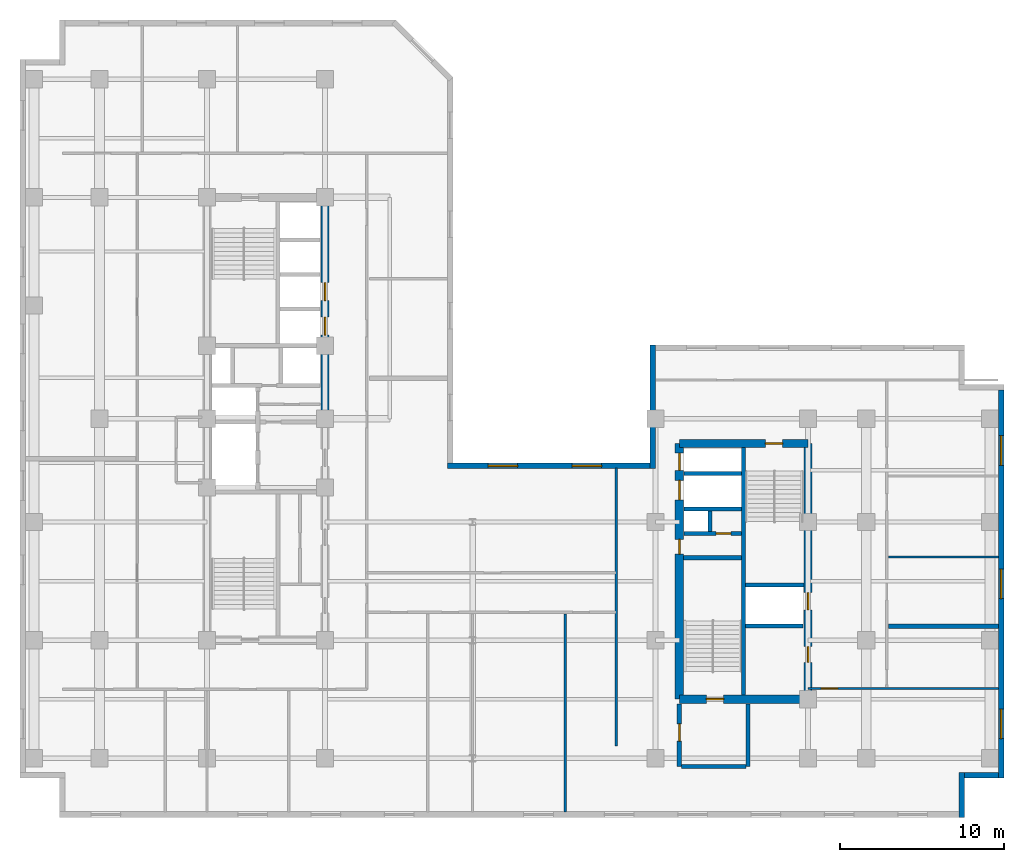
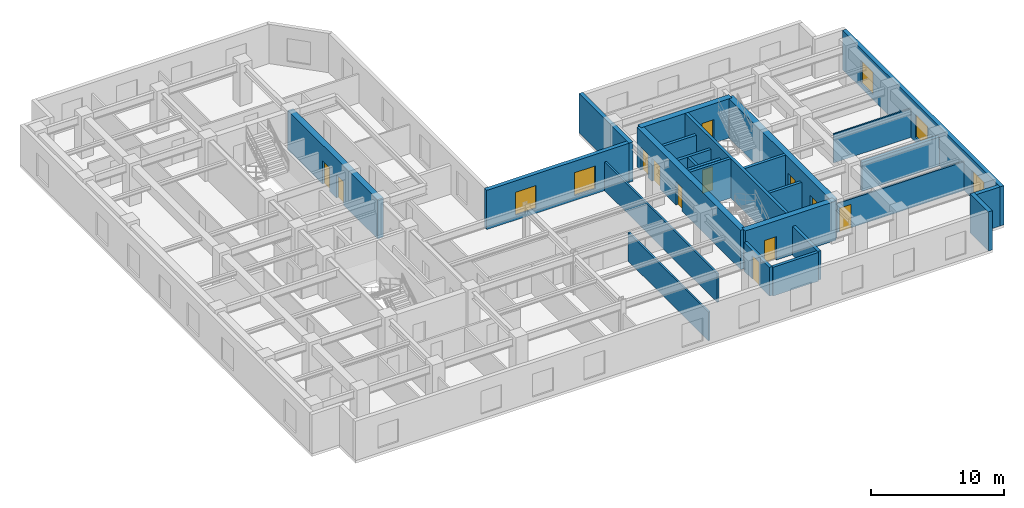
# One storey, part 5 of 10: 26 walls, 12 doors, 5 windows, 17 openings.
"""IFC4 building model written with IfcOpenShell, lengths in metres."""

from ifc_helpers import new_model, entity, si_unit, converted_unit, direction, frame, origin_with_axes, origin_2d_with_axis, place, context, subcontext, project, spatial, polyline, rectangle, outline, extrude, material, layer, layer_set, type_object, element, fill, save


model = new_model("IFC4")

# Units and contexts
model_context = context("Model", 3, precision=1e-05, world=origin_with_axes(), true_north=direction((0.0, 1.0)))
body_context = subcontext(model_context, "Body", "Model", "MODEL_VIEW")
ifc_project = project(units=[si_unit("LENGTHUNIT", "METRE"), si_unit("AREAUNIT", "SQUARE_METRE"), si_unit("VOLUMEUNIT", "CUBIC_METRE"), converted_unit("PLANEANGLEUNIT", "DEGREE", entity("IfcPlaneAngleMeasure", 0.017453292519943295), si_unit("PLANEANGLEUNIT", "RADIAN"), dimensions=[0, 0, 0, 0, 0, 0, 0]), si_unit("MASSUNIT", "GRAM", prefix="KILO"), si_unit("THERMODYNAMICTEMPERATUREUNIT", "KELVIN")], contexts=[model_context])

# Site, building, storey
site_placement = place(None, origin_with_axes())
site = spatial("IfcSite", under=ifc_project, at=site_placement, CompositionType="ELEMENT")
building_placement = place(site_placement, origin_with_axes())
building = spatial("IfcBuilding", under=site, at=building_placement, Name="Varnlund Millrace Tower", CompositionType="ELEMENT")
storey_placement = place(building_placement, frame((0.0, 0.0, 183.6), z_axis=(0.0, 0.0, 1.0), x_axis=(1.0, 0.0, 0.0)))
storey = spatial("IfcBuildingStorey", under=building, at=storey_placement, Name="L45", CompositionType="ELEMENT", Elevation=183.6)

# Wall, openings, doors
ifc_material_1 = material(Name="Concrete C70/85", Category="concrete")
ifc_layer_1 = layer(ifc_material_1, 0.5, Name="Concrete C70/85")
ifc_layer_set_1 = layer_set([ifc_layer_1], Name="Concrete C70/85")
wall_type_1 = type_object("IfcWallType", Name="Type-CoreWall-Shear-500-C70", PredefinedType="SHEAR", material=ifc_layer_set_1)
wall_1_placement = place(storey_placement, frame((18.6, 24.3, 0.0), z_axis=(0.0, 0.0, 1.0), x_axis=(0.0, 1.0, 0.0)))
wall_1 = element("IfcWall", 1, at=wall_1_placement, inside=storey, type_object=wall_type_1, Name="Type-CoreWall-Shear-500-C70", PredefinedType="SHEAR", context=body_context, shape_type="SweptSolid", body=[
    extrude(outline(polyline([(0.0, -0.25), (13.5, -0.25), (13.5, 0.25), (0.0, 0.25), (0.0, -0.25)])), origin_with_axes(), (0.0, 0.0, 1.0), 3.6),
])
opening_1_placement = place(wall_1_placement, frame((5.65, 0.0, 0.0), z_axis=(0.0, 0.0, 1.0), x_axis=(1.0, 0.0, 0.0)))
opening_1 = element("IfcOpeningElement", 2, at=opening_1_placement, cuts=wall_1, Name="Opening L45:LD-ELV-M1", PredefinedType="OPENING", context=body_context, shape_type="SweptSolid", body=[
    extrude(rectangle(XDim=1.1, YDim=0.52, at=origin_2d_with_axis()), origin_with_axes(), (0.0, 0.0, 1.0), 2.15),
])
opening_2_placement = place(wall_1_placement, frame((7.75, 0.0, 0.0), z_axis=(0.0, 0.0, 1.0), x_axis=(1.0, 0.0, 0.0)))
opening_2 = element("IfcOpeningElement", 3, at=opening_2_placement, cuts=wall_1, Name="Opening L45:LD-ELV-M2", PredefinedType="OPENING", context=body_context, shape_type="SweptSolid", body=[
    extrude(rectangle(XDim=1.1, YDim=0.52, at=origin_2d_with_axis()), origin_with_axes(), (0.0, 0.0, 1.0), 2.15),
])
ifc_material_2 = material(Name="Stainless and architectural bronze sliding landing door")
door_type_1 = type_object("IfcDoorType", Name="Type-LiftLandingDoor-1100X2150", OperationType="NOTDEFINED", PredefinedType="DOOR", material=ifc_material_2)
door_1_placement = place(wall_1_placement, frame((5.65, 0.0, 0.0), z_axis=(0.0, 0.0, 1.0), x_axis=(1.0, 0.0, 0.0)))
door_1 = element("IfcDoor", 4, at=door_1_placement, inside=storey, type_object=door_type_1, Name="Type-LiftLandingDoor-1100X2150", OperationType="SLIDING_TO_LEFT", OverallHeight=2.15, OverallWidth=1.1, PredefinedType="DOOR", context=body_context, shape_type="SweptSolid", body=[
    extrude(rectangle(XDim=1.1, YDim=0.09, at=origin_2d_with_axis()), origin_with_axes(), (0.0, 0.0, 1.0), 2.15),
])
fill(opening_1, door_1)
door_2_placement = place(wall_1_placement, frame((7.75, 0.0, 0.0), z_axis=(0.0, 0.0, 1.0), x_axis=(1.0, 0.0, 0.0)))
door_2 = element("IfcDoor", 5, at=door_2_placement, inside=storey, type_object=door_type_1, Name="Type-LiftLandingDoor-1100X2150", OperationType="SLIDING_TO_RIGHT", OverallHeight=2.15, OverallWidth=1.1, PredefinedType="DOOR", context=body_context, shape_type="SweptSolid", body=[
    extrude(rectangle(XDim=1.1, YDim=0.09, at=origin_2d_with_axis()), origin_with_axes(), (0.0, 0.0, 1.0), 2.15),
])
fill(opening_2, door_2)

wall_2_placement = place(storey_placement, frame((40.2, 7.2, 0.0), z_axis=(0.0, 0.0, 1.0), x_axis=(0.0, 1.0, 0.0)))
wall_2 = element("IfcWall", 6, at=wall_2_placement, inside=storey, type_object=wall_type_1, Name="Type-CoreWall-Shear-500-C70", PredefinedType="SHEAR", context=body_context, shape_type="SweptSolid", body=[
    extrude(outline(polyline([(0.0, -0.25), (15.6, -0.25), (15.6, 0.25), (0.0, 0.25), (0.0, -0.25)])), origin_with_axes(), (0.0, 0.0, 1.0), 3.6),
])
opening_3_placement = place(wall_2_placement, frame((14.475, 0.0, 0.0), z_axis=(0.0, 0.0, 1.0), x_axis=(1.0, 0.0, 0.0)))
opening_3 = element("IfcOpeningElement", 7, at=opening_3_placement, cuts=wall_2, Name="Opening L45:LD-ELV-M4", PredefinedType="OPENING", context=body_context, shape_type="SweptSolid", body=[
    extrude(rectangle(XDim=1.05, YDim=0.52, at=origin_2d_with_axis()), origin_with_axes(), (0.0, 0.0, 1.0), 2.15),
])
opening_4_placement = place(wall_2_placement, frame((12.75, 0.0, 0.0), z_axis=(0.0, 0.0, 1.0), x_axis=(1.0, 0.0, 0.0)))
opening_4 = element("IfcOpeningElement", 8, at=opening_4_placement, cuts=wall_2, Name="Opening L45:LD-SRV2", PredefinedType="OPENING", context=body_context, shape_type="SweptSolid", body=[
    extrude(rectangle(XDim=1.2, YDim=0.52, at=origin_2d_with_axis()), origin_with_axes(), (0.0, 0.0, 1.0), 2.15),
])
opening_5_placement = place(wall_2_placement, frame((9.3, 0.0, 0.0), z_axis=(0.0, 0.0, 1.0), x_axis=(1.0, 0.0, 0.0)))
opening_5 = element("IfcOpeningElement", 9, at=opening_5_placement, cuts=wall_2, Name="Opening L45:DR-CB-JAN", PredefinedType="OPENING", context=body_context, shape_type="SweptSolid", body=[
    extrude(rectangle(XDim=0.9, YDim=0.52, at=origin_2d_with_axis()), origin_with_axes(), (0.0, 0.0, 1.0), 2.15),
])
ifc_material_3 = material(Name="Fire-rated hollow steel service closet door", Category="steel")
door_type_2 = type_object("IfcDoorType", Name="Type-FireDoor-Closet-900X2150", OperationType="NOTDEFINED", PredefinedType="DOOR", material=ifc_material_3)
door_3_placement = place(wall_2_placement, frame((9.3, 0.0, 0.0), z_axis=(0.0, 0.0, 1.0), x_axis=(1.0, 0.0, 0.0)))
door_3 = element("IfcDoor", 10, at=door_3_placement, inside=storey, type_object=door_type_2, Name="Type-FireDoor-Closet-900X2150", OperationType="SINGLE_SWING_RIGHT", OverallHeight=2.15, OverallWidth=0.9, PredefinedType="DOOR", context=body_context, shape_type="SweptSolid", body=[
    extrude(rectangle(XDim=0.9, YDim=0.09, at=origin_2d_with_axis()), origin_with_axes(), (0.0, 0.0, 1.0), 2.15),
])
fill(opening_5, door_3)
ifc_material_4 = material(Name="Architectural bronze sliding landing door")
door_type_3 = type_object("IfcDoorType", Name="Type-LiftLandingDoor-Compact-1050X2150", OperationType="NOTDEFINED", PredefinedType="DOOR", material=ifc_material_4)
door_4_placement = place(wall_2_placement, frame((14.475, 0.0, 0.0), z_axis=(0.0, 0.0, 1.0), x_axis=(1.0, 0.0, 0.0)))
door_4 = element("IfcDoor", 11, at=door_4_placement, inside=storey, type_object=door_type_3, Name="Type-LiftLandingDoor-Compact-1050X2150", OperationType="SLIDING_TO_RIGHT", OverallHeight=2.15, OverallWidth=1.05, PredefinedType="DOOR", context=body_context, shape_type="SweptSolid", body=[
    extrude(rectangle(XDim=1.05, YDim=0.09, at=origin_2d_with_axis()), origin_with_axes(), (0.0, 0.0, 1.0), 2.15),
])
fill(opening_3, door_4)
ifc_material_5 = material(Name="Heavy-duty freight sliding landing door")
door_type_4 = type_object("IfcDoorType", Name="Type-LiftLandingDoor-Service-1200X2150", OperationType="NOTDEFINED", PredefinedType="DOOR", material=ifc_material_5)
door_5_placement = place(wall_2_placement, frame((12.75, 0.0, 0.0), z_axis=(0.0, 0.0, 1.0), x_axis=(1.0, 0.0, 0.0)))
door_5 = element("IfcDoor", 12, at=door_5_placement, inside=storey, type_object=door_type_4, Name="Type-LiftLandingDoor-Service-1200X2150", OperationType="DOUBLE_DOOR_SLIDING", OverallHeight=2.15, OverallWidth=1.2, PredefinedType="DOOR", context=body_context, shape_type="SweptSolid", body=[
    extrude(rectangle(XDim=1.2, YDim=0.09, at=origin_2d_with_axis()), origin_with_axes(), (0.0, 0.0, 1.0), 2.15),
])
fill(opening_4, door_5)

# Wall, opening, door
wall_3_placement = place(storey_placement, frame((40.2, 7.2, 0.0), z_axis=(0.0, 0.0, 1.0), x_axis=(1.0, 0.0, 0.0)))
wall_3 = element("IfcWall", 13, at=wall_3_placement, inside=storey, type_object=wall_type_1, Name="Type-CoreWall-Shear-500-C70", PredefinedType="SHEAR", context=body_context, shape_type="SweptSolid", body=[
    extrude(outline(polyline([(0.0, -0.25), (7.85, -0.25), (7.85, 0.25), (0.0, 0.25), (0.0, -0.25)])), origin_with_axes(), (0.0, 0.0, 1.0), 3.6),
])
opening_6_placement = place(wall_3_placement, frame((2.175, 0.0, 0.0), z_axis=(0.0, 0.0, 1.0), x_axis=(1.0, 0.0, 0.0)))
opening_6 = element("IfcOpeningElement", 14, at=opening_6_placement, cuts=wall_3, Name="Opening L45:DR-STB1", PredefinedType="OPENING", context=body_context, shape_type="SweptSolid", body=[
    extrude(rectangle(XDim=1.05, YDim=0.52, at=origin_2d_with_axis()), origin_with_axes(), (0.0, 0.0, 1.0), 2.15),
])
ifc_material_6 = material(Name="Fire-rated hollow steel door", Category="steel")
door_type_5 = type_object("IfcDoorType", Name="Type-FireDoor-Stair-1050X2150", OperationType="NOTDEFINED", PredefinedType="DOOR", material=ifc_material_6)
door_6_placement = place(wall_3_placement, frame((2.175, 0.0, 0.0), z_axis=(0.0, 0.0, 1.0), x_axis=(1.0, 0.0, 0.0)))
door_6 = element("IfcDoor", 15, at=door_6_placement, inside=storey, type_object=door_type_5, Name="Type-FireDoor-Stair-1050X2150", OperationType="SINGLE_SWING_LEFT", OverallHeight=2.15, OverallWidth=1.05, PredefinedType="DOOR", context=body_context, shape_type="SweptSolid", body=[
    extrude(rectangle(XDim=1.05, YDim=0.09, at=origin_2d_with_axis()), origin_with_axes(), (0.0, 0.0, 1.0), 2.15),
])
fill(opening_6, door_6)

wall_4_placement = place(storey_placement, frame((40.2, 22.8, 0.0), z_axis=(0.0, 0.0, 1.0), x_axis=(1.0, 0.0, 0.0)))
wall_4 = element("IfcWall", 16, at=wall_4_placement, inside=storey, type_object=wall_type_1, Name="Type-CoreWall-Shear-500-C70", PredefinedType="SHEAR", context=body_context, shape_type="SweptSolid", body=[
    extrude(outline(polyline([(0.0, -0.25), (7.85, -0.25), (7.85, 0.25), (0.0, 0.25), (0.0, -0.25)])), origin_with_axes(), (0.0, 0.0, 1.0), 3.6),
])
opening_7_placement = place(wall_4_placement, frame((5.775, 0.0, 0.0), z_axis=(0.0, 0.0, 1.0), x_axis=(1.0, 0.0, 0.0)))
opening_7 = element("IfcOpeningElement", 17, at=opening_7_placement, cuts=wall_4, Name="Opening L45:DR-STB2", PredefinedType="OPENING", context=body_context, shape_type="SweptSolid", body=[
    extrude(rectangle(XDim=1.05, YDim=0.52, at=origin_2d_with_axis()), origin_with_axes(), (0.0, 0.0, 1.0), 2.15),
])
door_7_placement = place(wall_4_placement, frame((5.775, 0.0, 0.0), z_axis=(0.0, 0.0, 1.0), x_axis=(1.0, 0.0, 0.0)))
door_7 = element("IfcDoor", 18, at=door_7_placement, inside=storey, type_object=door_type_5, Name="Type-FireDoor-Stair-1050X2150", OperationType="SINGLE_SWING_RIGHT", OverallHeight=2.15, OverallWidth=1.05, PredefinedType="DOOR", context=body_context, shape_type="SweptSolid", body=[
    extrude(rectangle(XDim=1.05, YDim=0.09, at=origin_2d_with_axis()), origin_with_axes(), (0.0, 0.0, 1.0), 2.15),
])
fill(opening_7, door_7)

# Wall, openings, doors
wall_5_placement = place(storey_placement, frame((48.05, 7.2, 0.0), z_axis=(0.0, 0.0, 1.0), x_axis=(0.0, 1.0, 0.0)))
wall_5 = element("IfcWall", 19, at=wall_5_placement, inside=storey, type_object=wall_type_1, Name="Type-CoreWall-Shear-500-C70", PredefinedType="SHEAR", context=body_context, shape_type="SweptSolid", body=[
    extrude(outline(polyline([(0.0, -0.25), (15.6, -0.25), (15.6, 0.25), (0.0, 0.25), (0.0, -0.25)])), origin_with_axes(), (0.0, 0.0, 1.0), 3.6),
])
opening_8_placement = place(wall_5_placement, frame((5.975, 0.0, 0.0), z_axis=(0.0, 0.0, 1.0), x_axis=(1.0, 0.0, 0.0)))
opening_8 = element("IfcOpeningElement", 20, at=opening_8_placement, cuts=wall_5, Name="Opening L45:LD-ELV-M3", PredefinedType="OPENING", context=body_context, shape_type="SweptSolid", body=[
    extrude(rectangle(XDim=1.05, YDim=0.52, at=origin_2d_with_axis()), origin_with_axes(), (0.0, 0.0, 1.0), 2.15),
])
opening_9_placement = place(wall_5_placement, frame((2.725, 0.0, 0.0), z_axis=(0.0, 0.0, 1.0), x_axis=(1.0, 0.0, 0.0)))
opening_9 = element("IfcOpeningElement", 21, at=opening_9_placement, cuts=wall_5, Name="Opening L45:DR-CB-WC", PredefinedType="OPENING", context=body_context, shape_type="SweptSolid", body=[
    extrude(rectangle(XDim=0.95, YDim=0.52, at=origin_2d_with_axis()), origin_with_axes(), (0.0, 0.0, 1.0), 2.15),
])
ifc_material_7 = material(Name="Fire-rated hollow steel core service door", Category="steel")
door_type_6 = type_object("IfcDoorType", Name="Type-FireDoor-Service-950X2150", OperationType="NOTDEFINED", PredefinedType="DOOR", material=ifc_material_7)
door_8_placement = place(wall_5_placement, frame((2.725, 0.0, 0.0), z_axis=(0.0, 0.0, 1.0), x_axis=(1.0, 0.0, 0.0)))
door_8 = element("IfcDoor", 22, at=door_8_placement, inside=storey, type_object=door_type_6, Name="Type-FireDoor-Service-950X2150", OperationType="SINGLE_SWING_LEFT", OverallHeight=2.15, OverallWidth=0.95, PredefinedType="DOOR", context=body_context, shape_type="SweptSolid", body=[
    extrude(rectangle(XDim=0.95, YDim=0.09, at=origin_2d_with_axis()), origin_with_axes(), (0.0, 0.0, 1.0), 2.15),
])
fill(opening_9, door_8)
door_9_placement = place(wall_5_placement, frame((5.975, 0.0, 0.0), z_axis=(0.0, 0.0, 1.0), x_axis=(1.0, 0.0, 0.0)))
door_9 = element("IfcDoor", 23, at=door_9_placement, inside=storey, type_object=door_type_3, Name="Type-LiftLandingDoor-Compact-1050X2150", OperationType="SLIDING_TO_LEFT", OverallHeight=2.15, OverallWidth=1.05, PredefinedType="DOOR", context=body_context, shape_type="SweptSolid", body=[
    extrude(rectangle(XDim=1.05, YDim=0.09, at=origin_2d_with_axis()), origin_with_axes(), (0.0, 0.0, 1.0), 2.15),
])
fill(opening_8, door_9)

# Wall
ifc_material_8 = material(Name="Precast concrete C50/60", Category="concrete")
ifc_layer_2 = layer(ifc_material_8, 0.34, Name="Precast concrete C50/60")
ifc_layer_set_2 = layer_set([ifc_layer_2], Name="Precast concrete C50/60")
wall_type_2 = type_object("IfcWallType", Name="Type-ExtWall-Precast-Upper-340", PredefinedType="SOLIDWALL", material=ifc_layer_set_2)
wall_6_placement = place(storey_placement, frame((38.57, 21.26, 0.0), z_axis=(0.0, 0.0, 1.0), x_axis=(0.0, 1.0, 0.0)))
element("IfcWall", 24, at=wall_6_placement, inside=storey, type_object=wall_type_2, Name="Type-ExtWall-Precast-Upper-340", PredefinedType="SOLIDWALL", context=body_context, shape_type="SweptSolid", body=[
    extrude(outline(polyline([(0.0, -0.17), (7.54, -0.17), (7.54, 0.17), (0.0, 0.17), (0.0, -0.17)])), origin_with_axes(), (0.0, 0.0, 1.0), 3.6),
])

# Wall, openings, windows
wall_7_placement = place(storey_placement, frame((59.83, 26.06, 0.0), z_axis=(0.0, 0.0, 1.0), x_axis=(0.0, -1.0, 0.0)))
wall_7 = element("IfcWall", 25, at=wall_7_placement, inside=storey, type_object=wall_type_2, Name="Type-ExtWall-Precast-Upper-340", PredefinedType="SOLIDWALL", context=body_context, shape_type="SweptSolid", body=[
    extrude(outline(polyline([(0.0, -0.17), (23.66, -0.17), (23.66, 0.17), (0.0, 0.17), (0.0, -0.17)])), origin_with_axes(), (0.0, 0.0, 1.0), 3.6),
])
opening_10_placement = place(wall_7_placement, frame((3.696, 0.0, 0.45), z_axis=(0.0, 0.0, 1.0), x_axis=(1.0, 0.0, 0.0)))
opening_10 = element("IfcOpeningElement", 26, at=opening_10_placement, cuts=wall_7, Name="Opening L45:WN-05", PredefinedType="OPENING", context=body_context, shape_type="SweptSolid", body=[
    extrude(rectangle(XDim=1.8, YDim=0.36, at=origin_2d_with_axis()), origin_with_axes(), (0.0, 0.0, 1.0), 2.1),
])
opening_11_placement = place(wall_7_placement, frame((11.83, 0.0, 0.45), z_axis=(0.0, 0.0, 1.0), x_axis=(1.0, 0.0, 0.0)))
opening_11 = element("IfcOpeningElement", 27, at=opening_11_placement, cuts=wall_7, Name="Opening L45:WN-06", PredefinedType="OPENING", context=body_context, shape_type="SweptSolid", body=[
    extrude(rectangle(XDim=1.8, YDim=0.36, at=origin_2d_with_axis()), origin_with_axes(), (0.0, 0.0, 1.0), 2.1),
])
opening_12_placement = place(wall_7_placement, frame((20.364, 0.0, 0.45), z_axis=(0.0, 0.0, 1.0), x_axis=(1.0, 0.0, 0.0)))
opening_12 = element("IfcOpeningElement", 28, at=opening_12_placement, cuts=wall_7, Name="Opening L45:WN-07", PredefinedType="OPENING", context=body_context, shape_type="SweptSolid", body=[
    extrude(rectangle(XDim=1.8, YDim=0.36, at=origin_2d_with_axis()), origin_with_axes(), (0.0, 0.0, 1.0), 2.1),
])
ifc_material_9 = material(Name="Argon low-e triple glazing in thermally broken bronze frame", Category="glass")
window_type = type_object("IfcWindowType", Name="Type-Window-Punched-1800X2100", PartitioningType="SINGLE_PANEL", PredefinedType="WINDOW", material=ifc_material_9)
window_1_placement = place(wall_7_placement, frame((3.696, 0.0, 0.45), z_axis=(0.0, 0.0, 1.0), x_axis=(1.0, 0.0, 0.0)))
window_1 = element("IfcWindow", 29, at=window_1_placement, inside=storey, type_object=window_type, Name="Type-Window-Punched-1800X2100", OverallHeight=2.1, OverallWidth=1.8, PredefinedType="WINDOW", context=body_context, shape_type="SweptSolid", body=[
    extrude(rectangle(XDim=1.8, YDim=0.09, at=origin_2d_with_axis()), origin_with_axes(), (0.0, 0.0, 1.0), 2.1),
])
fill(opening_10, window_1)
window_2_placement = place(wall_7_placement, frame((11.83, 0.0, 0.45), z_axis=(0.0, 0.0, 1.0), x_axis=(1.0, 0.0, 0.0)))
window_2 = element("IfcWindow", 30, at=window_2_placement, inside=storey, type_object=window_type, Name="Type-Window-Punched-1800X2100", OverallHeight=2.1, OverallWidth=1.8, PredefinedType="WINDOW", context=body_context, shape_type="SweptSolid", body=[
    extrude(rectangle(XDim=1.8, YDim=0.09, at=origin_2d_with_axis()), origin_with_axes(), (0.0, 0.0, 1.0), 2.1),
])
fill(opening_11, window_2)
window_3_placement = place(wall_7_placement, frame((20.364, 0.0, 0.45), z_axis=(0.0, 0.0, 1.0), x_axis=(1.0, 0.0, 0.0)))
window_3 = element("IfcWindow", 31, at=window_3_placement, inside=storey, type_object=window_type, Name="Type-Window-Punched-1800X2100", OverallHeight=2.1, OverallWidth=1.8, PredefinedType="WINDOW", context=body_context, shape_type="SweptSolid", body=[
    extrude(rectangle(XDim=1.8, YDim=0.09, at=origin_2d_with_axis()), origin_with_axes(), (0.0, 0.0, 1.0), 2.1),
])
fill(opening_12, window_3)

# Walls
wall_8_placement = place(storey_placement, frame((59.66, 2.57, 0.0), z_axis=(0.0, 0.0, 1.0), x_axis=(-1.0, 0.0, 0.0)))
element("IfcWall", 32, at=wall_8_placement, inside=storey, type_object=wall_type_2, Name="Type-ExtWall-Precast-Upper-340", PredefinedType="SOLIDWALL", context=body_context, shape_type="SweptSolid", body=[
    extrude(outline(polyline([(0.0, -0.17), (2.06, -0.17), (2.06, 0.17), (0.0, 0.17), (0.0, -0.17)])), origin_with_axes(), (0.0, 0.0, 1.0), 3.6),
])
wall_9_placement = place(storey_placement, frame((57.43, 2.74, 0.0), z_axis=(0.0, 0.0, 1.0), x_axis=(0.0, -1.0, 0.0)))
element("IfcWall", 33, at=wall_9_placement, inside=storey, type_object=wall_type_2, Name="Type-ExtWall-Precast-Upper-340", PredefinedType="SOLIDWALL", context=body_context, shape_type="SweptSolid", body=[
    extrude(outline(polyline([(0.0, -0.17), (2.74, -0.17), (2.74, 0.17), (0.0, 0.17), (0.0, -0.17)])), origin_with_axes(), (0.0, 0.0, 1.0), 3.6),
])

# Wall, openings, windows
wall_10_placement = place(storey_placement, frame((26.054, 21.43, 0.0), z_axis=(0.0, 0.0, 1.0), x_axis=(1.0, 0.0, 0.0)))
wall_10 = element("IfcWall", 34, at=wall_10_placement, inside=storey, type_object=wall_type_2, Name="Type-ExtWall-Precast-Upper-340", PredefinedType="SOLIDWALL", context=body_context, shape_type="SweptSolid", body=[
    extrude(outline(polyline([(0.0, -0.17), (12.346, -0.17), (12.346, 0.17), (0.0, 0.17), (0.0, -0.17)])), origin_with_axes(), (0.0, 0.0, 1.0), 3.6),
])
opening_13_placement = place(wall_10_placement, frame((3.387, 0.0, 0.45), z_axis=(0.0, 0.0, 1.0), x_axis=(1.0, 0.0, 0.0)))
opening_13 = element("IfcOpeningElement", 35, at=opening_13_placement, cuts=wall_10, Name="Opening L45:WN-34", PredefinedType="OPENING", context=body_context, shape_type="SweptSolid", body=[
    extrude(rectangle(XDim=1.8, YDim=0.36, at=origin_2d_with_axis()), origin_with_axes(), (0.0, 0.0, 1.0), 2.1),
])
opening_14_placement = place(wall_10_placement, frame((8.509, 0.0, 0.45), z_axis=(0.0, 0.0, 1.0), x_axis=(1.0, 0.0, 0.0)))
opening_14 = element("IfcOpeningElement", 36, at=opening_14_placement, cuts=wall_10, Name="Opening L45:WN-35", PredefinedType="OPENING", context=body_context, shape_type="SweptSolid", body=[
    extrude(rectangle(XDim=1.8, YDim=0.36, at=origin_2d_with_axis()), origin_with_axes(), (0.0, 0.0, 1.0), 2.1),
])
window_4_placement = place(wall_10_placement, frame((3.387, 0.0, 0.45), z_axis=(0.0, 0.0, 1.0), x_axis=(1.0, 0.0, 0.0)))
window_4 = element("IfcWindow", 37, at=window_4_placement, inside=storey, type_object=window_type, Name="Type-Window-Punched-1800X2100", OverallHeight=2.1, OverallWidth=1.8, PredefinedType="WINDOW", context=body_context, shape_type="SweptSolid", body=[
    extrude(rectangle(XDim=1.8, YDim=0.09, at=origin_2d_with_axis()), origin_with_axes(), (0.0, 0.0, 1.0), 2.1),
])
fill(opening_13, window_4)
window_5_placement = place(wall_10_placement, frame((8.509, 0.0, 0.45), z_axis=(0.0, 0.0, 1.0), x_axis=(1.0, 0.0, 0.0)))
window_5 = element("IfcWindow", 38, at=window_5_placement, inside=storey, type_object=window_type, Name="Type-Window-Punched-1800X2100", OverallHeight=2.1, OverallWidth=1.8, PredefinedType="WINDOW", context=body_context, shape_type="SweptSolid", body=[
    extrude(rectangle(XDim=1.8, YDim=0.09, at=origin_2d_with_axis()), origin_with_axes(), (0.0, 0.0, 1.0), 2.1),
])
fill(opening_14, window_5)

# Walls
ifc_material_10 = material(Name="Double-stud STC-60 conference acoustic partition", Category="gypsum")
ifc_layer_3 = layer(ifc_material_10, 0.28, Name="Double-stud STC-60 conference acoustic partition")
ifc_layer_set_3 = layer_set([ifc_layer_3], Name="Double-stud STC-60 conference acoustic partition")
wall_type_3 = type_object("IfcWallType", Name="Type-Partition-Acoustic-280", PredefinedType="PARTITIONING", material=ifc_layer_set_3)
wall_11_placement = place(storey_placement, frame((52.97, 11.657, 0.0), z_axis=(0.0, 0.0, 1.0), x_axis=(1.0, 0.0, 0.0)))
element("IfcWall", 39, at=wall_11_placement, inside=storey, type_object=wall_type_3, Name="Type-Partition-Acoustic-280", PredefinedType="PARTITIONING", context=body_context, shape_type="SweptSolid", body=[
    extrude(outline(polyline([(0.0, -0.14), (6.695, -0.14), (6.695, 0.14), (0.0, 0.14), (0.0, -0.14)])), origin_with_axes(), (0.0, 0.0, 1.0), 2.64),
])
ifc_material_11 = material(Name="Fire-rated gypsum board on cold-formed steel framing", Category="steel")
ifc_layer_4 = layer(ifc_material_11, 0.16, Name="Fire-rated gypsum board on cold-formed steel framing")
ifc_layer_set_4 = layer_set([ifc_layer_4], Name="Fire-rated gypsum board on cold-formed steel framing")
wall_type_4 = type_object("IfcWallType", Name="Type-Partition-Corridor-160", PredefinedType="PARTITIONING", material=ifc_layer_set_4)
wall_12_placement = place(storey_placement, frame((36.35, 4.35, 0.0), z_axis=(0.0, 0.0, 1.0), x_axis=(0.0, 1.0, 0.0)))
element("IfcWall", 40, at=wall_12_placement, inside=storey, type_object=wall_type_4, Name="Type-Partition-Corridor-160", PredefinedType="PARTITIONING", context=body_context, shape_type="SweptSolid", body=[
    extrude(outline(polyline([(0.0, -0.08), (16.95, -0.08), (16.95, 0.08), (0.0, 0.08), (0.0, -0.08)])), origin_with_axes(), (0.0, 0.0, 1.0), 2.64),
])
ifc_material_12 = material(Name="Acoustic STC-50 gypsum board partition", Category="gypsum")
ifc_layer_5 = layer(ifc_material_12, 0.15, Name="Acoustic STC-50 gypsum board partition")
ifc_layer_set_5 = layer_set([ifc_layer_5], Name="Acoustic STC-50 gypsum board partition")
wall_type_5 = type_object("IfcWallType", Name="Type-Partition-Demising-150", PredefinedType="PARTITIONING", material=ifc_layer_set_5)
wall_13_placement = place(storey_placement, frame((33.259, 0.335, 0.0), z_axis=(0.0, 0.0, 1.0), x_axis=(0.0, 1.0, 0.0)))
element("IfcWall", 41, at=wall_13_placement, inside=storey, type_object=wall_type_5, Name="Type-Partition-Demising-150", PredefinedType="PARTITIONING", context=body_context, shape_type="SweptSolid", body=[
    extrude(outline(polyline([(0.0, -0.075), (12.045, -0.075), (12.045, 0.075), (0.0, 0.075), (0.0, -0.075)])), origin_with_axes(), (0.0, 0.0, 1.0), 2.64),
])

# Wall, opening, door
ifc_material_13 = material(Name="Gypsum board tenant partition", Category="gypsum")
ifc_layer_6 = layer(ifc_material_13, 0.125, Name="Gypsum board tenant partition")
ifc_layer_set_6 = layer_set([ifc_layer_6], Name="Gypsum board tenant partition")
wall_type_6 = type_object("IfcWallType", Name="Type-Partition-Tenant-125", PredefinedType="PARTITIONING", material=ifc_layer_set_6)
wall_14_placement = place(storey_placement, frame((59.665, 7.85, 0.0), z_axis=(0.0, 0.0, 1.0), x_axis=(-1.0, 0.0, 0.0)))
wall_14 = element("IfcWall", 42, at=wall_14_placement, inside=storey, type_object=wall_type_6, Name="Type-Partition-Tenant-125", PredefinedType="PARTITIONING", context=body_context, shape_type="SweptSolid", body=[
    extrude(outline(polyline([(0.0, -0.0625), (11.615, -0.0625), (11.615, 0.0625), (0.0, 0.0625), (0.0, -0.0625)])), origin_with_axes(), (0.0, 0.0, 1.0), 2.64),
])
opening_15_placement = place(wall_14_placement, frame((10.315, 0.0, 0.0), z_axis=(0.0, 0.0, 1.0), x_axis=(1.0, 0.0, 0.0)))
opening_15 = element("IfcOpeningElement", 43, at=opening_15_placement, cuts=wall_14, Name="Opening L45:DR-WBS-01", PredefinedType="OPENING", context=body_context, shape_type="SweptSolid", body=[
    extrude(rectangle(XDim=1.0, YDim=0.145, at=origin_2d_with_axis()), origin_with_axes(), (0.0, 0.0, 1.0), 2.15),
])
ifc_material_14 = material(Name="Solid-core white oak and bronze frame door")
door_type_7 = type_object("IfcDoorType", Name="Type-IntDoor-Office-1000X2150", OperationType="NOTDEFINED", PredefinedType="DOOR", material=ifc_material_14)
door_10_placement = place(wall_14_placement, frame((10.315, 0.0, 0.0), z_axis=(0.0, 0.0, 1.0), x_axis=(1.0, 0.0, 0.0)))
door_10 = element("IfcDoor", 44, at=door_10_placement, inside=storey, type_object=door_type_7, Name="Type-IntDoor-Office-1000X2150", OperationType="SINGLE_SWING_LEFT", OverallHeight=2.15, OverallWidth=1.0, PredefinedType="DOOR", context=body_context, shape_type="SweptSolid", body=[
    extrude(rectangle(XDim=1.0, YDim=0.075, at=origin_2d_with_axis()), origin_with_axes(), (0.0, 0.0, 1.0), 2.15),
])
fill(opening_15, door_10)

# Wall
wall_15_placement = place(storey_placement, frame((52.97, 15.857, 0.0), z_axis=(0.0, 0.0, 1.0), x_axis=(1.0, 0.0, 0.0)))
element("IfcWall", 45, at=wall_15_placement, inside=storey, type_object=wall_type_6, Name="Type-Partition-Tenant-125", PredefinedType="PARTITIONING", context=body_context, shape_type="SweptSolid", body=[
    extrude(outline(polyline([(0.0, -0.0625), (6.695, -0.0625), (6.695, 0.0625), (0.0, 0.0625), (0.0, -0.0625)])), origin_with_axes(), (0.0, 0.0, 1.0), 2.64),
])

# Wall, opening, door
ifc_material_15 = material(Name="Concrete C60/75", Category="concrete")
ifc_layer_7 = layer(ifc_material_15, 0.25, Name="Concrete C60/75")
ifc_layer_set_7 = layer_set([ifc_layer_7], Name="Concrete C60/75")
wall_type_7 = type_object("IfcWallType", Name="Type-ShaftWall-Fire-250", PredefinedType="SOLIDWALL", material=ifc_layer_set_7)
wall_16_placement = place(storey_placement, frame((40.5, 17.3, 0.0), z_axis=(0.0, 0.0, 1.0), x_axis=(1.0, 0.0, 0.0)))
wall_16 = element("IfcWall", 46, at=wall_16_placement, inside=storey, type_object=wall_type_7, Name="Type-ShaftWall-Fire-250", PredefinedType="SOLIDWALL", context=body_context, shape_type="SweptSolid", body=[
    extrude(outline(polyline([(0.0, -0.125), (3.5, -0.125), (3.5, 0.125), (0.0, 0.125), (0.0, -0.125)])), origin_with_axes(), (0.0, 0.0, 1.0), 2.64),
])
opening_16_placement = place(wall_16_placement, frame((2.4, 0.0, 0.0), z_axis=(0.0, 0.0, 1.0), x_axis=(1.0, 0.0, 0.0)))
opening_16 = element("IfcOpeningElement", 47, at=opening_16_placement, cuts=wall_16, Name="Opening L45:DR-CB-ELC", PredefinedType="OPENING", context=body_context, shape_type="SweptSolid", body=[
    extrude(rectangle(XDim=0.9, YDim=0.27, at=origin_2d_with_axis()), origin_with_axes(), (0.0, 0.0, 1.0), 2.15),
])
door_11_placement = place(wall_16_placement, frame((2.4, 0.0, 0.0), z_axis=(0.0, 0.0, 1.0), x_axis=(1.0, 0.0, 0.0)))
door_11 = element("IfcDoor", 48, at=door_11_placement, inside=storey, type_object=door_type_2, Name="Type-FireDoor-Closet-900X2150", OperationType="SINGLE_SWING_LEFT", OverallHeight=2.15, OverallWidth=0.9, PredefinedType="DOOR", context=body_context, shape_type="SweptSolid", body=[
    extrude(rectangle(XDim=0.9, YDim=0.09, at=origin_2d_with_axis()), origin_with_axes(), (0.0, 0.0, 1.0), 2.15),
])
fill(opening_16, door_11)

# Walls
wall_17_placement = place(storey_placement, frame((40.5, 18.8, 0.0), z_axis=(0.0, 0.0, 1.0), x_axis=(1.0, 0.0, 0.0)))
element("IfcWall", 49, at=wall_17_placement, inside=storey, type_object=wall_type_7, Name="Type-ShaftWall-Fire-250", PredefinedType="SOLIDWALL", context=body_context, shape_type="SweptSolid", body=[
    extrude(outline(polyline([(0.0, -0.125), (3.5, -0.125), (3.5, 0.125), (0.0, 0.125), (0.0, -0.125)])), origin_with_axes(), (0.0, 0.0, 1.0), 2.64),
])
wall_18_placement = place(storey_placement, frame((42.075, 17.43, 0.0), z_axis=(0.0, 0.0, 1.0), x_axis=(0.0, 1.0, 0.0)))
element("IfcWall", 50, at=wall_18_placement, inside=storey, type_object=wall_type_7, Name="Type-ShaftWall-Fire-250", PredefinedType="SOLIDWALL", context=body_context, shape_type="SweptSolid", body=[
    extrude(outline(polyline([(0.0, -0.125), (1.24, -0.125), (1.24, 0.125), (0.0, 0.125), (0.0, -0.125)])), origin_with_axes(), (0.0, 0.0, 1.0), 2.64),
])

# Wall, opening, door
wall_19_placement = place(storey_placement, frame((40.2, 3.1, 0.0), z_axis=(0.0, 0.0, 1.0), x_axis=(0.0, 1.0, 0.0)))
wall_19 = element("IfcWall", 51, at=wall_19_placement, inside=storey, type_object=wall_type_7, Name="Type-ShaftWall-Fire-250", PredefinedType="SOLIDWALL", context=body_context, shape_type="SweptSolid", body=[
    extrude(outline(polyline([(0.0, -0.125), (3.8, -0.125), (3.8, 0.125), (0.0, 0.125), (0.0, -0.125)])), origin_with_axes(), (0.0, 0.0, 1.0), 2.64),
])
opening_17_placement = place(wall_19_placement, frame((2.075, 0.0, 0.0), z_axis=(0.0, 0.0, 1.0), x_axis=(1.0, 0.0, 0.0)))
opening_17 = element("IfcOpeningElement", 52, at=opening_17_placement, cuts=wall_19, Name="Opening L45:DR-FFLOB-B", PredefinedType="OPENING", context=body_context, shape_type="SweptSolid", body=[
    extrude(rectangle(XDim=1.05, YDim=0.27, at=origin_2d_with_axis()), origin_with_axes(), (0.0, 0.0, 1.0), 2.15),
])
ifc_material_16 = material(Name="Smoke-barrier hollow steel fire door", Category="steel")
door_type_8 = type_object("IfcDoorType", Name="Type-FireDoor-Lobby-1050X2150", OperationType="NOTDEFINED", PredefinedType="DOOR", material=ifc_material_16)
door_12_placement = place(wall_19_placement, frame((2.075, 0.0, 0.0), z_axis=(0.0, 0.0, 1.0), x_axis=(1.0, 0.0, 0.0)))
door_12 = element("IfcDoor", 53, at=door_12_placement, inside=storey, type_object=door_type_8, Name="Type-FireDoor-Lobby-1050X2150", OperationType="SINGLE_SWING_LEFT", OverallHeight=2.15, OverallWidth=1.05, PredefinedType="DOOR", context=body_context, shape_type="SweptSolid", body=[
    extrude(rectangle(XDim=1.05, YDim=0.09, at=origin_2d_with_axis()), origin_with_axes(), (0.0, 0.0, 1.0), 2.15),
])
fill(opening_17, door_12)

# Walls
wall_20_placement = place(storey_placement, frame((40.325, 3.1, 0.0), z_axis=(0.0, 0.0, 1.0), x_axis=(1.0, 0.0, 0.0)))
element("IfcWall", 54, at=wall_20_placement, inside=storey, type_object=wall_type_7, Name="Type-ShaftWall-Fire-250", PredefinedType="SOLIDWALL", context=body_context, shape_type="SweptSolid", body=[
    extrude(outline(polyline([(0.0, -0.125), (3.95, -0.125), (3.95, 0.125), (0.0, 0.125), (0.0, -0.125)])), origin_with_axes(), (0.0, 0.0, 1.0), 2.64),
])
wall_21_placement = place(storey_placement, frame((44.4, 3.1, 0.0), z_axis=(0.0, 0.0, 1.0), x_axis=(0.0, 1.0, 0.0)))
element("IfcWall", 55, at=wall_21_placement, inside=storey, type_object=wall_type_7, Name="Type-ShaftWall-Fire-250", PredefinedType="SOLIDWALL", context=body_context, shape_type="SweptSolid", body=[
    extrude(outline(polyline([(0.0, -0.125), (3.8, -0.125), (3.8, 0.125), (0.0, 0.125), (0.0, -0.125)])), origin_with_axes(), (0.0, 0.0, 1.0), 2.64),
])
for number, where, z_axis, x_axis, name in (
    (56, (40.5, 20.96, 0.0), (0.0, 0.0, 1.0), (1.0, 0.0, 0.0), "Type-ShaftWall-Fire-250"),
    (57, (44.25, 11.66, 0.0), (0.0, 0.0, 1.0), (1.0, 0.0, 0.0), "Type-ShaftWall-Fire-250"),
):
    element("IfcWall", number, at=place(storey_placement, frame(where, z_axis=z_axis, x_axis=x_axis)), inside=storey, type_object=wall_type_7, Name=name, PredefinedType="SOLIDWALL", context=body_context, shape_type="SweptSolid", body=[
        extrude(outline(polyline([(0.0, -0.125), (3.5, -0.125), (3.5, 0.125), (0.0, 0.125), (0.0, -0.125)])), origin_with_axes(), (0.0, 0.0, 1.0), 2.64),
    ])
wall_type_8 = type_object("IfcWallType", Name="Type-StairWall-Shear-250", PredefinedType="SHEAR", material=ifc_layer_set_7)
wall_22_placement = place(storey_placement, frame((44.125, 7.45, 0.0), z_axis=(0.0, 0.0, 1.0), x_axis=(0.0, 1.0, 0.0)))
element("IfcWall", 58, at=wall_22_placement, inside=storey, type_object=wall_type_8, Name="Type-StairWall-Shear-250", PredefinedType="SHEAR", context=body_context, shape_type="SweptSolid", body=[
    extrude(outline(polyline([(0.0, -0.125), (15.1, -0.125), (15.1, 0.125), (0.0, 0.125), (0.0, -0.125)])), origin_with_axes(), (0.0, 0.0, 1.0), 3.6),
])
for number, where, z_axis, x_axis, name in (
    (59, (40.45, 15.825, 0.0), (0.0, 0.0, 1.0), (1.0, 0.0, 0.0), "Type-StairWall-Shear-250"),
    (60, (44.25, 14.175, 0.0), (0.0, 0.0, 1.0), (1.0, 0.0, 0.0), "Type-StairWall-Shear-250"),
):
    element("IfcWall", number, at=place(storey_placement, frame(where, z_axis=z_axis, x_axis=x_axis)), inside=storey, type_object=wall_type_8, Name=name, PredefinedType="SHEAR", context=body_context, shape_type="SweptSolid", body=[
        extrude(outline(polyline([(0.0, -0.125), (3.55, -0.125), (3.55, 0.125), (0.0, 0.125), (0.0, -0.125)])), origin_with_axes(), (0.0, 0.0, 1.0), 3.6),
    ])

save(model, "model.ifc")
